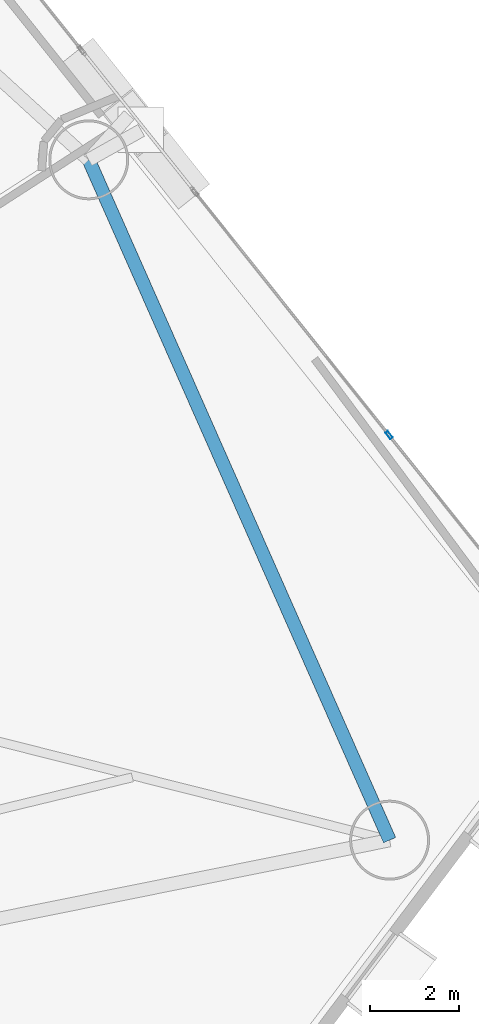
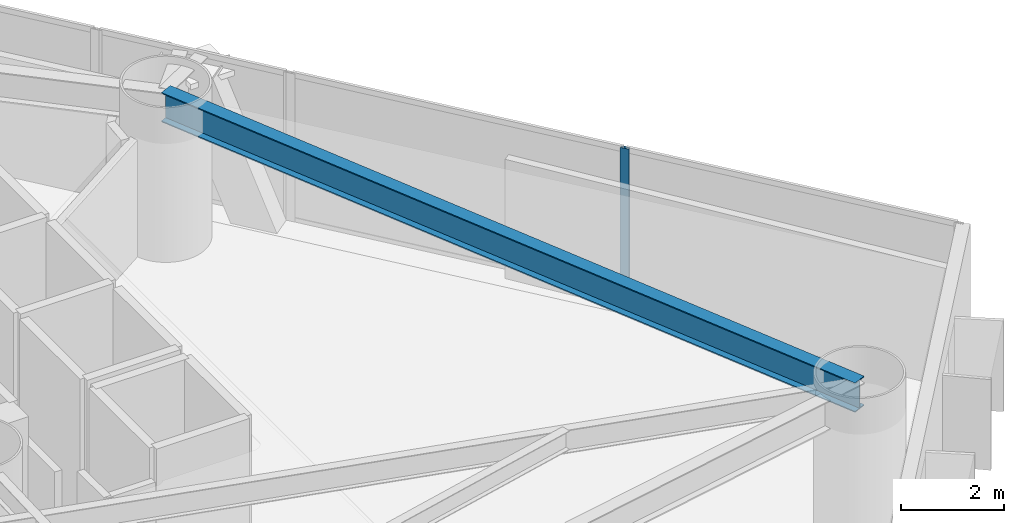
# One storey, part 13 of 23: 1 beam, 1 member, 1 element without a shape of its own.
"""IFC4 building model written with IfcOpenShell, lengths in metres."""

from ifc_helpers import new_model, si_unit, direction, frame, origin, origin_2d, place, context, subcontext, project, spatial, hollow_rectangle, i_section, extrude, material, layer, layer_set, material_profile, profile_set, type_object, element, aggregate, save


model = new_model("IFC4")

# Units and contexts
model_context = context("Model", 3, precision=1e-05, world=origin(), true_north=direction((0.0, 1.0)))
body_context = subcontext(model_context, "Body", "Model", "MODEL_VIEW")
ifc_project = project(units=[si_unit("LENGTHUNIT", "METRE"), si_unit("AREAUNIT", "SQUARE_METRE"), si_unit("VOLUMEUNIT", "CUBIC_METRE"), si_unit("PLANEANGLEUNIT", "RADIAN"), si_unit("MASSUNIT", "GRAM", prefix="KILO")], contexts=[model_context])

# Site, building, storey
site_placement = place(None, origin())
site = spatial("IfcSite", under=ifc_project, at=site_placement, CompositionType="ELEMENT")
building_placement = place(site_placement, origin())
building = spatial("IfcBuilding", under=site, at=building_placement, Name="Qianvela Tower", CompositionType="ELEMENT")
storey_placement = place(building_placement, frame((0.0, 0.0, 29.39990234375)))
storey = spatial("IfcBuildingStorey", under=building, at=storey_placement, Name="L06", CompositionType="ELEMENT", Elevation=29.39990234375)

# Beam
ifc_material_1 = material(Name="Steel Q355B", Category="steel")
ifc_material_profile_1 = material_profile(ifc_material_1, i_section(OverallWidth=0.300048828125, OverallDepth=0.699951171875, WebThickness=0.012939453125, FlangeThickness=0.02392578125, at=origin_2d()), Name="HN700x300x13x24")
ifc_profile_set_1 = profile_set([ifc_material_profile_1], Name="Steel Q355B")
beam_type = type_object("IfcBeamType", Name="BM-HN700-SPAND", PredefinedType="SPANDREL", material=ifc_profile_set_1)
beam_placement = place(storey_placement, frame((54.511962890625, 17.31689453125, 3.168212890625), z_axis=(-0.404490777912, 0.914542076989, 0.0), x_axis=(-0.914542076989, -0.404490777912, 0.0)))
element("IfcBeam", 1, at=beam_placement, inside=storey, type_object=beam_type, Name="L06 Perimeter Ring Spandrel Girder 1", PredefinedType="SPANDREL", context=body_context, shape_type="SweptSolid", body=[
    extrude(i_section(OverallWidth=0.300048828125, OverallDepth=0.699951171875, WebThickness=0.012939453125, FlangeThickness=0.02392578125, at=origin_2d()), origin(), (0.0, 0.0, 1.0), 16.751708984375),
])

# Curtain wall, member
ifc_material_2 = material(Name="Anodised Architectural Aluminium and Low-E Glass", Category="aluminium")
ifc_layer = layer(ifc_material_2, 0.179931640625)
ifc_layer_set = layer_set([ifc_layer], Name="Anodised Architectural Aluminium and Low-E Glass")
curtain_wall_type = type_object("IfcCurtainWallType", Name="CW-COLIV-Z12", PredefinedType="USERDEFINED", material=ifc_layer_set)
curtain_wall_placement = place(storey_placement, origin())
curtain_wall = element("IfcCurtainWall", 2, at=curtain_wall_placement, inside=storey, type_object=curtain_wall_type, Name="L06 CW-COLIV-Z12 Curtain Wall 02A", ObjectType="CURTAIN_WALL_SYSTEM", PredefinedType="USERDEFINED")
ifc_material_3 = material(Name="Anodised Architectural Aluminium 6063-T6", Category="aluminium")
ifc_material_profile_2 = material_profile(ifc_material_3, hollow_rectangle(XDim=0.070068359375, YDim=0.179931640625, WallThickness=0.0048828125, at=origin_2d()), Name="ALU-MULL-70x180")
ifc_profile_set_2 = profile_set([ifc_material_profile_2], Name="Anodised Architectural Aluminium 6063-T6")
member_type = type_object("IfcMemberType", Name="CW-COLIV-Z12-MULL", PredefinedType="MULLION", material=ifc_profile_set_2)
member_placement = place(storey_placement, frame((54.499755859375, 26.43896484375, 0.0), z_axis=(0.0, 0.0, 1.0), x_axis=(-0.781443713372, -0.623975738977, 0.0)))
member = element("IfcMember", 3, at=member_placement, type_object=member_type, Name="CW-3 mullion 2", PredefinedType="MULLION", context=body_context, shape_type="SweptSolid", body=[
    extrude(hollow_rectangle(XDim=0.070068359375, YDim=0.179931640625, WallThickness=0.0048828125, at=origin_2d()), origin(), (0.0, 0.0, 1.0), 3.52001953125),
])
aggregate(curtain_wall, [member])

save(model, "model.ifc")
